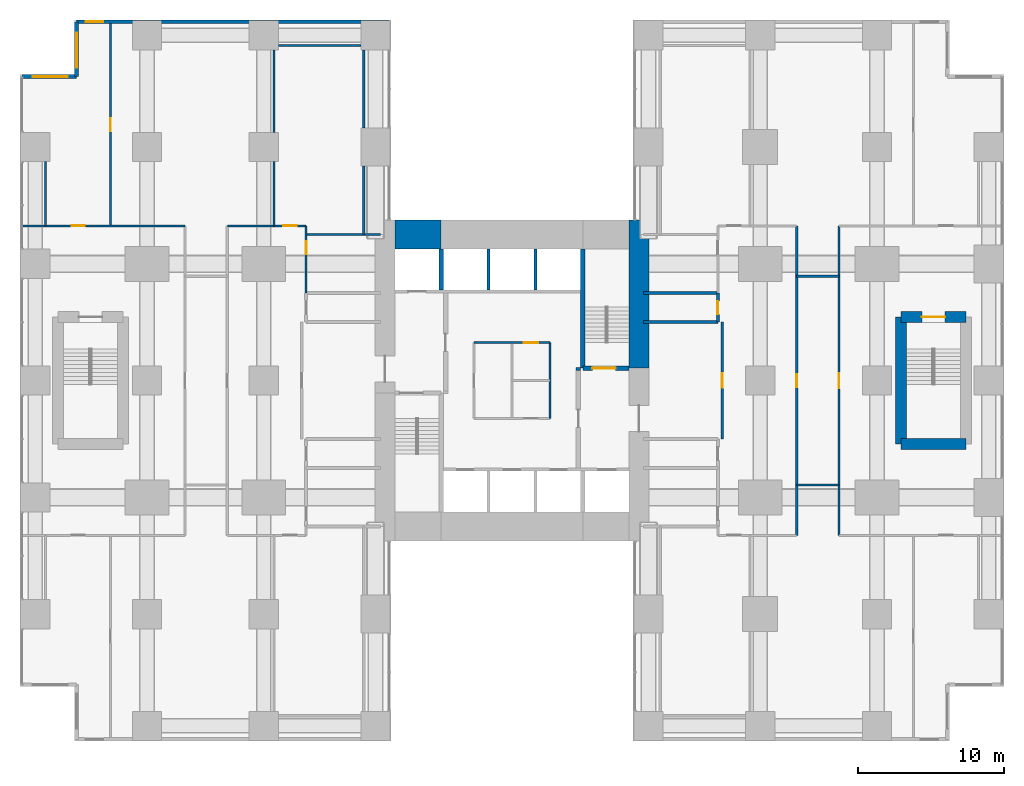
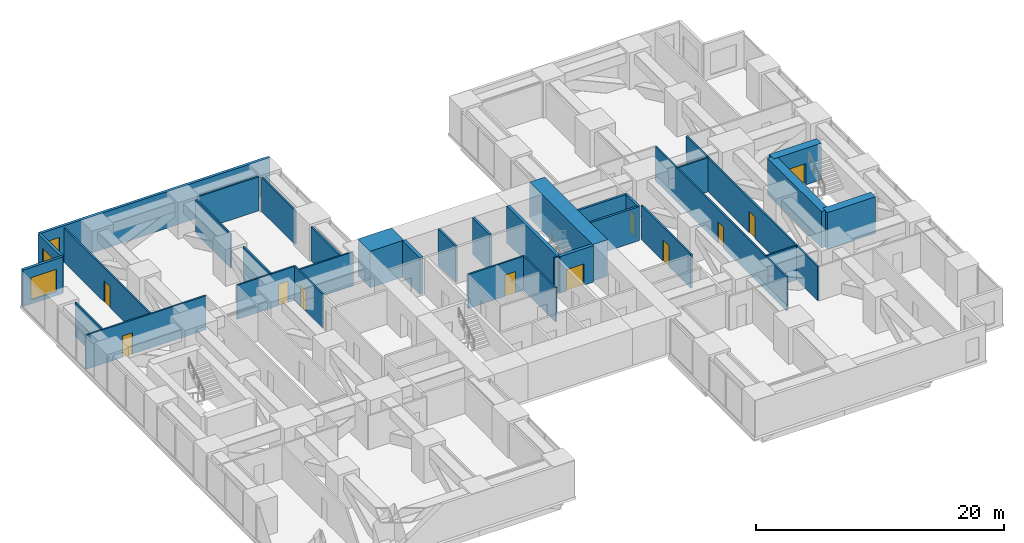
# One storey, part 12 of 15: 35 walls, 11 doors, 3 windows, 14 openings.
"""IFC4 building model written with IfcOpenShell, lengths in metres."""

from ifc_helpers import new_model, si_unit, direction, frame, frame_2d, origin, place, context, subcontext, project, spatial, rectangle, extrude, material, layer, layer_set, type_object, element, fill, save


model = new_model("IFC4")

# Units and contexts
model_context = context("Model", 3, precision=1e-05, world=origin(), true_north=direction((0.0, 1.0)))
body_context = subcontext(model_context, "Body", "Model", "MODEL_VIEW")
ifc_project = project(units=[si_unit("LENGTHUNIT", "METRE"), si_unit("AREAUNIT", "SQUARE_METRE"), si_unit("VOLUMEUNIT", "CUBIC_METRE"), si_unit("PLANEANGLEUNIT", "RADIAN"), si_unit("MASSUNIT", "GRAM", prefix="KILO")], contexts=[model_context])

# Site, building, storey
site_placement = place(None, origin())
site = spatial("IfcSite", under=ifc_project, at=site_placement, CompositionType="ELEMENT")
building_placement = place(site_placement, origin())
building = spatial("IfcBuilding", under=site, at=building_placement, Name="Cleftline Residences", CompositionType="ELEMENT")
storey_placement = place(building_placement, frame((0.0, 0.0, 132.199951171875)))
storey = spatial("IfcBuildingStorey", under=building, at=storey_placement, Name="L34", CompositionType="ELEMENT", Elevation=132.199951171875)

# Walls
ifc_material_1 = material(Name="Concrete B70", Category="concrete")
ifc_layer_1 = layer(ifc_material_1, 1.39990234375)
ifc_layer_set_1 = layer_set([ifc_layer_1], Name="CORE WALL 1400")
wall_type_1 = type_object("IfcWallType", Name="CORE WALL 1400", PredefinedType="SHEAR", material=ifc_layer_set_1)
wall_1_placement = place(storey_placement, frame((41.699951171875, 24.85009765625, 0.0), z_axis=(0.0, 0.0, 1.0), x_axis=(0.0, 1.0, 0.0)))
element("IfcWall", 1, at=wall_1_placement, inside=storey, type_object=wall_type_1, Name="Core wall E1", PredefinedType="SHEAR", context=body_context, shape_type="SweptSolid", body=[
    extrude(rectangle(XDim=10.14990234375, YDim=1.39990234375, at=frame_2d((5.074951171875, 0.0))), origin(), (0.0, 0.0, 1.0), 3.60009765625),
])
ifc_material_2 = material(Name="Concrete B70", Category="concrete")
ifc_layer_2 = layer(ifc_material_2, 2.0)
ifc_layer_set_2 = layer_set([ifc_layer_2], Name="CORE WALL 2000")
wall_type_2 = type_object("IfcWallType", Name="CORE WALL 2000", PredefinedType="SHEAR", material=ifc_layer_set_2)
wall_2_placement = place(storey_placement, frame((25.0, 34.0, 0.0), z_axis=(0.0, 0.0, 1.0), x_axis=(1.0, 0.0, 0.0)))
element("IfcWall", 2, at=wall_2_placement, inside=storey, type_object=wall_type_2, Name="Core wall N1", PredefinedType="SHEAR", context=body_context, shape_type="SweptSolid", body=[
    extrude(rectangle(XDim=3.14990234375, YDim=2.0, at=frame_2d((1.574951171875, 0.0))), origin(), (0.0, 0.0, 1.0), 3.60009765625),
])
ifc_material_3 = material(Name="Concrete B70", Category="concrete")
ifc_layer_3 = layer(ifc_material_3, 0.300048828125)
ifc_layer_set_3 = layer_set([ifc_layer_3], Name="CORE WALL 300")
wall_type_3 = type_object("IfcWallType", Name="CORE WALL 300", PredefinedType="SHEAR", material=ifc_layer_set_3)
wall_3_placement = place(storey_placement, frame((37.85009765625, 24.85009765625, 0.0), z_axis=(0.0, 0.0, 1.0), x_axis=(0.0, 1.0, 0.0)))
element("IfcWall", 3, at=wall_3_placement, inside=storey, type_object=wall_type_3, Name="Core wall SB-W", PredefinedType="SHEAR", context=body_context, shape_type="SweptSolid", body=[
    extrude(rectangle(XDim=8.14990234375, YDim=0.300048828125, at=frame_2d((4.074951171875, 0.0))), origin(), (0.0, 0.0, 1.0), 3.60009765625),
])

# Wall, opening, door
wall_4_placement = place(storey_placement, frame((37.85009765625, 24.85009765625, 0.0), z_axis=(0.0, 0.0, 1.0), x_axis=(1.0, 0.0, 0.0)))
wall_4 = element("IfcWall", 4, at=wall_4_placement, inside=storey, type_object=wall_type_3, Name="Core wall SB-S", PredefinedType="SHEAR", context=body_context, shape_type="SweptSolid", body=[
    extrude(rectangle(XDim=3.14990234375, YDim=0.300048828125, at=frame_2d((1.574951171875, 0.0))), origin(), (0.0, 0.0, 1.0), 3.60009765625),
])
opening_1_placement = place(wall_4_placement, frame((0.64990234375, 0.0, 0.0)))
opening_1 = element("IfcOpeningElement", 5, at=opening_1_placement, cuts=wall_4, Name="Opening D9", PredefinedType="OPENING", context=body_context, shape_type="SweptSolid", body=[
    extrude(rectangle(XDim=1.60009765625, YDim=2.10009765625, at=frame_2d((0.800048828125, 1.050048828125))), frame((0.0, 0.159912109375, 0.0), z_axis=(0.0, -1.0, 0.0), x_axis=(1.0, 0.0, 0.0)), (0.0, 0.0, 1.0), 0.320068359375),
])
ifc_material_4 = material(Name="Steel", Category="steel")
door_type_1 = type_object("IfcDoorType", Name="STAIR DOOR 1600X2100", OperationType="DOUBLE_DOOR_SINGLE_SWING", PredefinedType="DOOR", material=ifc_material_4)
door_1_placement = place(opening_1_placement, origin())
door_1 = element("IfcDoor", 6, at=door_1_placement, inside=storey, type_object=door_type_1, Name="Stair B door", OperationType="DOUBLE_DOOR_SINGLE_SWING", OverallHeight=2.10009765625, OverallWidth=1.60009765625, PredefinedType="DOOR", context=body_context, shape_type="SweptSolid", body=[
    extrude(rectangle(XDim=1.60009765625, YDim=2.10009765625, at=frame_2d((0.800048828125, 1.050048828125))), frame((0.0, 0.02490234375, 0.0), z_axis=(0.0, -1.0, 0.0), x_axis=(1.0, 0.0, 0.0)), (0.0, 0.0, 1.0), 0.050048828125),
])
fill(opening_1, door_1)

# Wall
wall_5_placement = place(storey_placement, frame((28.14990234375, 30.199951171875, 0.0), z_axis=(0.0, 0.0, 1.0), x_axis=(0.0, 1.0, 0.0)))
element("IfcWall", 7, at=wall_5_placement, inside=storey, type_object=wall_type_3, Name="Lift shaft wall", PredefinedType="SHEAR", context=body_context, shape_type="SweptSolid", body=[
    extrude(rectangle(XDim=2.800048828125, YDim=0.300048828125, at=frame_2d((1.39990234375, 0.0))), origin(), (0.0, 0.0, 1.0), 3.60009765625),
])

# Wall, opening, window
ifc_material_5 = material(Name="Rendered reinforced concrete blockwork", Category="masonry")
ifc_layer_4 = layer(ifc_material_5, 0.25)
ifc_layer_set_4 = layer_set([ifc_layer_4], Name="EXTERNAL WALL 250")
wall_type_4 = type_object("IfcWallType", Name="EXTERNAL WALL 250", PredefinedType="SOLIDWALL", material=ifc_layer_set_4)
wall_6_placement = place(storey_placement, frame((24.574951171875, 48.574951171875, 0.0), z_axis=(0.0, 0.0, 1.0), x_axis=(-1.0, 0.0, 0.0)))
wall_6 = element("IfcWall", 8, at=wall_6_placement, inside=storey, type_object=wall_type_4, Name="External wall", PredefinedType="SOLIDWALL", context=body_context, shape_type="SweptSolid", body=[
    extrude(rectangle(XDim=21.39990234375, YDim=0.25, at=frame_2d((10.699951171875, 0.0))), origin(), (0.0, 0.0, 1.0), 3.60009765625),
])
opening_2_placement = place(wall_6_placement, frame((19.574951171875, 0.0, 0.39990234375)))
opening_2 = element("IfcOpeningElement", 9, at=opening_2_placement, cuts=wall_6, Name="Opening W11", PredefinedType="OPENING", context=body_context, shape_type="SweptSolid", body=[
    extrude(rectangle(XDim=1.199951171875, YDim=2.199951171875, at=frame_2d((0.60009765625, 1.10009765625))), frame((0.0, 0.135009765625, 0.0), z_axis=(0.0, -1.0, 0.0), x_axis=(1.0, 0.0, 0.0)), (0.0, 0.0, 1.0), 0.27001953125),
])
ifc_material_6 = material(Name="Aluminium frame, clear double glazing", Category="aluminium")
window_type_1 = type_object("IfcWindowType", Name="WINDOW 1200X2200", PartitioningType="DOUBLE_PANEL_VERTICAL", PredefinedType="WINDOW", material=ifc_material_6)
window_1_placement = place(opening_2_placement, origin())
window_1 = element("IfcWindow", 10, at=window_1_placement, inside=storey, type_object=window_type_1, Name="Window", OverallHeight=2.199951171875, OverallWidth=1.199951171875, PartitioningType="SINGLE_PANEL", PredefinedType="WINDOW", context=body_context, shape_type="SweptSolid", body=[
    extrude(rectangle(XDim=1.199951171875, YDim=2.199951171875, at=frame_2d((0.60009765625, 1.10009765625))), frame((0.0, 0.030029296875, 0.0), z_axis=(0.0, -1.0, 0.0), x_axis=(1.0, 0.0, 0.0)), (0.0, 0.0, 1.0), 0.06005859375),
])
fill(opening_2, window_1)

wall_7_placement = place(storey_placement, frame((3.175048828125, 48.574951171875, 0.0), z_axis=(0.0, 0.0, 1.0), x_axis=(0.0, -1.0, 0.0)))
wall_7 = element("IfcWall", 11, at=wall_7_placement, inside=storey, type_object=wall_type_4, Name="External wall", PredefinedType="SOLIDWALL", context=body_context, shape_type="SweptSolid", body=[
    extrude(rectangle(XDim=3.75, YDim=0.25, at=frame_2d((1.875, 0.0))), origin(), (0.0, 0.0, 1.0), 3.60009765625),
])
opening_3_placement = place(wall_7_placement, frame((0.737548828125, 0.0, 0.39990234375)))
opening_3 = element("IfcOpeningElement", 12, at=opening_3_placement, cuts=wall_7, Name="Opening W12", PredefinedType="OPENING", context=body_context, shape_type="SweptSolid", body=[
    extrude(rectangle(XDim=2.39990234375, YDim=2.199951171875, at=frame_2d((1.199951171875, 1.10009765625))), frame((0.0, 0.135009765625, 0.0), z_axis=(0.0, -1.0, 0.0), x_axis=(1.0, 0.0, 0.0)), (0.0, 0.0, 1.0), 0.27001953125),
])
ifc_material_7 = material(Name="Aluminium frame, clear double glazing", Category="aluminium")
window_type_2 = type_object("IfcWindowType", Name="WINDOW 2400X2200", PartitioningType="DOUBLE_PANEL_VERTICAL", PredefinedType="WINDOW", material=ifc_material_7)
window_2_placement = place(opening_3_placement, origin())
window_2 = element("IfcWindow", 13, at=window_2_placement, inside=storey, type_object=window_type_2, Name="Window", OverallHeight=2.199951171875, OverallWidth=2.39990234375, PartitioningType="SINGLE_PANEL", PredefinedType="WINDOW", context=body_context, shape_type="SweptSolid", body=[
    extrude(rectangle(XDim=2.39990234375, YDim=2.199951171875, at=frame_2d((1.199951171875, 1.10009765625))), frame((0.0, 0.030029296875, 0.0), z_axis=(0.0, -1.0, 0.0), x_axis=(1.0, 0.0, 0.0)), (0.0, 0.0, 1.0), 0.06005859375),
])
fill(opening_3, window_2)

wall_8_placement = place(storey_placement, frame((3.175048828125, 44.824951171875, 0.0), z_axis=(0.0, 0.0, 1.0), x_axis=(-1.0, 0.0, 0.0)))
wall_8 = element("IfcWall", 14, at=wall_8_placement, inside=storey, type_object=wall_type_4, Name="External wall", PredefinedType="SOLIDWALL", context=body_context, shape_type="SweptSolid", body=[
    extrude(rectangle(XDim=3.75, YDim=0.25, at=frame_2d((1.875, 0.0))), origin(), (0.0, 0.0, 1.0), 3.60009765625),
])
opening_4_placement = place(wall_8_placement, frame((0.612548828125, 0.0, 0.39990234375)))
opening_4 = element("IfcOpeningElement", 15, at=opening_4_placement, cuts=wall_8, Name="Opening W12", PredefinedType="OPENING", context=body_context, shape_type="SweptSolid", body=[
    extrude(rectangle(XDim=2.39990234375, YDim=2.199951171875, at=frame_2d((1.199951171875, 1.10009765625))), frame((0.0, 0.135009765625, 0.0), z_axis=(0.0, -1.0, 0.0), x_axis=(1.0, 0.0, 0.0)), (0.0, 0.0, 1.0), 0.27001953125),
])
window_3_placement = place(opening_4_placement, origin())
window_3 = element("IfcWindow", 16, at=window_3_placement, inside=storey, type_object=window_type_2, Name="Window", OverallHeight=2.199951171875, OverallWidth=2.39990234375, PartitioningType="SINGLE_PANEL", PredefinedType="WINDOW", context=body_context, shape_type="SweptSolid", body=[
    extrude(rectangle(XDim=2.39990234375, YDim=2.199951171875, at=frame_2d((1.199951171875, 1.10009765625))), frame((0.0, 0.030029296875, 0.0), z_axis=(0.0, -1.0, 0.0), x_axis=(1.0, 0.0, 0.0)), (0.0, 0.0, 1.0), 0.06005859375),
])
fill(opening_4, window_3)

# Walls
ifc_material_8 = material(Name="Concrete blockwork, fire rated", Category="masonry")
ifc_layer_5 = layer(ifc_material_8, 0.199951171875)
ifc_layer_set_5 = layer_set([ifc_layer_5], Name="FIRE WALL 200")
wall_type_5 = type_object("IfcWallType", Name="FIRE WALL 200", PredefinedType="PARTITIONING", material=ifc_layer_set_5)
for number, where, z_axis, x_axis, name in (
    (17, (42.0, 28.0, 0.0), (0.0, 0.0, 1.0), (1.0, 0.0, 0.0), "Fire separating wall"),
    (18, (42.0, 30.0, 0.0), (0.0, 0.0, 1.0), (1.0, 0.0, 0.0), "Fire separating wall"),
):
    element("IfcWall", number, at=place(storey_placement, frame(where, z_axis=z_axis, x_axis=x_axis)), inside=storey, type_object=wall_type_5, Name=name, PredefinedType="PARTITIONING", context=body_context, shape_type="SweptSolid", body=[
        extrude(rectangle(XDim=5.10009765625, YDim=0.199951171875, at=frame_2d((2.550048828125, 0.0))), origin(), (0.0, 0.0, 1.0), 3.35009765625),
    ])

# Wall, opening, door
wall_9_placement = place(storey_placement, frame((47.10009765625, 28.0, 0.0), z_axis=(0.0, 0.0, 1.0), x_axis=(0.0, 1.0, 0.0)))
wall_9 = element("IfcWall", 19, at=wall_9_placement, inside=storey, type_object=wall_type_5, Name="Fire separating wall", PredefinedType="PARTITIONING", context=body_context, shape_type="SweptSolid", body=[
    extrude(rectangle(XDim=2.0, YDim=0.199951171875, at=frame_2d((1.0, 0.0))), origin(), (0.0, 0.0, 1.0), 3.35009765625),
])
opening_5_placement = place(wall_9_placement, frame((0.5400390625, 0.0, 0.0)))
opening_5 = element("IfcOpeningElement", 20, at=opening_5_placement, cuts=wall_9, Name="Opening D1F30", PredefinedType="OPENING", context=body_context, shape_type="SweptSolid", body=[
    extrude(rectangle(XDim=0.89990234375, YDim=2.10009765625, at=frame_2d((0.449951171875, 1.050048828125))), frame((0.0, 0.10986328125, 0.0), z_axis=(0.0, -1.0, 0.0), x_axis=(1.0, 0.0, 0.0)), (0.0, 0.0, 1.0), 0.219970703125),
])
ifc_material_9 = material(Name="Timber veneer on solid core", Category="wood")
door_type_2 = type_object("IfcDoorType", Name="DOOR 900X2100 EI 30", OperationType="SINGLE_SWING_LEFT", PredefinedType="DOOR", material=ifc_material_9)
door_2_placement = place(opening_5_placement, origin())
door_2 = element("IfcDoor", 21, at=door_2_placement, inside=storey, type_object=door_type_2, Name="Door to accessible wc", OperationType="SINGLE_SWING_RIGHT", OverallHeight=2.10009765625, OverallWidth=0.89990234375, PredefinedType="DOOR", context=body_context, shape_type="SweptSolid", body=[
    extrude(rectangle(XDim=0.89990234375, YDim=2.10009765625, at=frame_2d((0.449951171875, 1.050048828125))), frame((0.0, 0.02490234375, 0.0), z_axis=(0.0, -1.0, 0.0), x_axis=(1.0, 0.0, 0.0)), (0.0, 0.0, 1.0), 0.050048828125),
])
fill(opening_5, door_2)

# Walls
wall_10_placement = place(storey_placement, frame((37.39990234375, 24.800048828125, 0.0), z_axis=(0.0, 0.0, 1.0), x_axis=(1.0, 0.0, 0.0)))
element("IfcWall", 22, at=wall_10_placement, inside=storey, type_object=wall_type_5, Name="Fire separating wall", PredefinedType="PARTITIONING", context=body_context, shape_type="SweptSolid", body=[
    extrude(rectangle(XDim=0.300048828125, YDim=0.199951171875, at=frame_2d((0.14990234375, 0.0))), origin(), (0.0, 0.0, 1.0), 3.60009765625),
])
ifc_material_10 = material(Name="Gypsum board on steel studs", Category="steel")
ifc_layer_6 = layer(ifc_material_10, 0.14990234375)
ifc_layer_set_6 = layer_set([ifc_layer_6], Name="PARTITION 150")
wall_type_6 = type_object("IfcWallType", Name="PARTITION 150", PredefinedType="PARTITIONING", material=ifc_layer_set_6)
for number, where, z_axis, x_axis, name in (
    (23, (52.5, 16.85009765625, 0.0), (0.0, 0.0, 1.0), (1.0, 0.0, 0.0), "Partition"),
    (24, (52.5, 31.14990234375, 0.0), (0.0, 0.0, 1.0), (1.0, 0.0, 0.0), "Partition"),
):
    element("IfcWall", number, at=place(storey_placement, frame(where, z_axis=z_axis, x_axis=x_axis)), inside=storey, type_object=wall_type_6, Name=name, PredefinedType="PARTITIONING", context=body_context, shape_type="SweptSolid", body=[
        extrude(rectangle(XDim=2.89990234375, YDim=0.14990234375, at=frame_2d((1.449951171875, 0.0))), origin(), (0.0, 0.0, 1.0), 3.35009765625),
    ])
wall_11_placement = place(storey_placement, frame((18.89990234375, 34.0, 0.0), z_axis=(0.0, 0.0, 1.0), x_axis=(1.0, 0.0, 0.0)))
element("IfcWall", 25, at=wall_11_placement, inside=storey, type_object=wall_type_6, Name="Partition", PredefinedType="PARTITIONING", context=body_context, shape_type="SweptSolid", body=[
    extrude(rectangle(XDim=5.10009765625, YDim=0.14990234375, at=frame_2d((2.550048828125, 0.0))), origin(), (0.0, 0.0, 1.0), 3.35009765625),
])

# Wall, opening, door
wall_12_placement = place(storey_placement, frame((-0.56103515625, 34.60009765625, 0.0), z_axis=(0.0, 0.0, 1.0), x_axis=(1.0, 0.0, 0.0)))
wall_12 = element("IfcWall", 26, at=wall_12_placement, inside=storey, type_object=wall_type_6, Name="Partition", PredefinedType="PARTITIONING", context=body_context, shape_type="SweptSolid", body=[
    extrude(rectangle(XDim=11.1611328125, YDim=0.14990234375, at=frame_2d((5.58056640625, 0.0))), origin(), (0.0, 0.0, 1.0), 3.35009765625),
])
opening_6_placement = place(wall_12_placement, frame((3.39111328125, 0.0, 0.0)))
opening_6 = element("IfcOpeningElement", 27, at=opening_6_placement, cuts=wall_12, Name="Opening D1", PredefinedType="OPENING", context=body_context, shape_type="SweptSolid", body=[
    extrude(rectangle(XDim=0.89990234375, YDim=2.10009765625, at=frame_2d((0.449951171875, 1.050048828125))), frame((0.0, 0.0849609375, 0.0), z_axis=(0.0, -1.0, 0.0), x_axis=(1.0, 0.0, 0.0)), (0.0, 0.0, 1.0), 0.169921875),
])
ifc_material_11 = material(Name="Timber veneer on solid core", Category="wood")
door_type_3 = type_object("IfcDoorType", Name="DOOR 900X2100", OperationType="SINGLE_SWING_LEFT", PredefinedType="DOOR", material=ifc_material_11)
door_3_placement = place(opening_6_placement, origin())
door_3 = element("IfcDoor", 28, at=door_3_placement, inside=storey, type_object=door_type_3, Name="Door to card room", OperationType="SINGLE_SWING_RIGHT", OverallHeight=2.10009765625, OverallWidth=0.89990234375, PredefinedType="DOOR", context=body_context, shape_type="SweptSolid", body=[
    extrude(rectangle(XDim=0.89990234375, YDim=2.10009765625, at=frame_2d((0.449951171875, 1.050048828125))), frame((0.0, 0.02490234375, 0.0), z_axis=(0.0, -1.0, 0.0), x_axis=(1.0, 0.0, 0.0)), (0.0, 0.0, 1.0), 0.050048828125),
])
fill(opening_6, door_3)

wall_13_placement = place(storey_placement, frame((13.5, 34.60009765625, 0.0), z_axis=(0.0, 0.0, 1.0), x_axis=(1.0, 0.0, 0.0)))
wall_13 = element("IfcWall", 29, at=wall_13_placement, inside=storey, type_object=wall_type_6, Name="Partition", PredefinedType="PARTITIONING", context=body_context, shape_type="SweptSolid", body=[
    extrude(rectangle(XDim=5.39990234375, YDim=0.14990234375, at=frame_2d((2.699951171875, 0.0))), origin(), (0.0, 0.0, 1.0), 3.35009765625),
])
opening_7_placement = place(wall_13_placement, frame((3.840087890625, 0.0, 0.0)))
opening_7 = element("IfcOpeningElement", 30, at=opening_7_placement, cuts=wall_13, Name="Opening D1", PredefinedType="OPENING", context=body_context, shape_type="SweptSolid", body=[
    extrude(rectangle(XDim=0.89990234375, YDim=2.10009765625, at=frame_2d((0.449951171875, 1.050048828125))), frame((0.0, 0.0849609375, 0.0), z_axis=(0.0, -1.0, 0.0), x_axis=(1.0, 0.0, 0.0)), (0.0, 0.0, 1.0), 0.169921875),
])
door_4_placement = place(opening_7_placement, origin())
door_4 = element("IfcDoor", 31, at=door_4_placement, inside=storey, type_object=door_type_3, Name="Door to music room", OperationType="SINGLE_SWING_LEFT", OverallHeight=2.10009765625, OverallWidth=0.89990234375, PredefinedType="DOOR", context=body_context, shape_type="SweptSolid", body=[
    extrude(rectangle(XDim=0.89990234375, YDim=2.10009765625, at=frame_2d((0.449951171875, 1.050048828125))), frame((0.0, 0.02490234375, 0.0), z_axis=(0.0, -1.0, 0.0), x_axis=(1.0, 0.0, 0.0)), (0.0, 0.0, 1.0), 0.050048828125),
])
fill(opening_7, door_4)

# Walls
wall_14_placement = place(storey_placement, frame((17.0, 46.949951171875, 0.0), z_axis=(0.0, 0.0, 1.0), x_axis=(1.0, 0.0, 0.0)))
element("IfcWall", 32, at=wall_14_placement, inside=storey, type_object=wall_type_6, Name="Partition", PredefinedType="PARTITIONING", context=body_context, shape_type="SweptSolid", body=[
    extrude(rectangle(XDim=5.64990234375, YDim=0.14990234375, at=frame_2d((2.824951171875, 0.0))), origin(), (0.0, 0.0, 1.0), 3.35009765625),
])
wall_15_placement = place(storey_placement, frame((1.050048828125, 34.60009765625, 0.0), z_axis=(0.0, 0.0, 1.0), x_axis=(0.0, 1.0, 0.0)))
element("IfcWall", 33, at=wall_15_placement, inside=storey, type_object=wall_type_6, Name="Partition", PredefinedType="PARTITIONING", context=body_context, shape_type="SweptSolid", body=[
    extrude(rectangle(XDim=4.39990234375, YDim=0.14990234375, at=frame_2d((2.199951171875, 0.0))), origin(), (0.0, 0.0, 1.0), 3.35009765625),
])

# Wall, opening, door
wall_16_placement = place(storey_placement, frame((5.5, 34.60009765625, 0.0), z_axis=(0.0, 0.0, 1.0), x_axis=(0.0, 1.0, 0.0)))
wall_16 = element("IfcWall", 34, at=wall_16_placement, inside=storey, type_object=wall_type_6, Name="Partition", PredefinedType="PARTITIONING", context=body_context, shape_type="SweptSolid", body=[
    extrude(rectangle(XDim=13.849853515625, YDim=0.14990234375, at=frame_2d((6.9248046875, 0.0))), origin(), (0.0, 0.0, 1.0), 3.35009765625),
])
opening_8_placement = place(wall_16_placement, frame((6.47998046875, 0.0, 0.0)))
opening_8 = element("IfcOpeningElement", 35, at=opening_8_placement, cuts=wall_16, Name="Opening D1", PredefinedType="OPENING", context=body_context, shape_type="SweptSolid", body=[
    extrude(rectangle(XDim=0.89990234375, YDim=2.10009765625, at=frame_2d((0.449951171875, 1.050048828125))), frame((0.0, 0.0849609375, 0.0), z_axis=(0.0, -1.0, 0.0), x_axis=(1.0, 0.0, 0.0)), (0.0, 0.0, 1.0), 0.169921875),
])
door_5_placement = place(opening_8_placement, origin())
door_5 = element("IfcDoor", 36, at=door_5_placement, inside=storey, type_object=door_type_3, Name="Door to games locker room", OperationType="SINGLE_SWING_LEFT", OverallHeight=2.10009765625, OverallWidth=0.89990234375, PredefinedType="DOOR", context=body_context, shape_type="SweptSolid", body=[
    extrude(rectangle(XDim=0.89990234375, YDim=2.10009765625, at=frame_2d((0.449951171875, 1.050048828125))), frame((0.0, 0.02490234375, 0.0), z_axis=(0.0, -1.0, 0.0), x_axis=(1.0, 0.0, 0.0)), (0.0, 0.0, 1.0), 0.050048828125),
])
fill(opening_8, door_5)

# Walls
wall_17_placement = place(storey_placement, frame((16.699951171875, 34.60009765625, 0.0), z_axis=(0.0, 0.0, 1.0), x_axis=(0.0, 1.0, 0.0)))
element("IfcWall", 37, at=wall_17_placement, inside=storey, type_object=wall_type_6, Name="Partition", PredefinedType="PARTITIONING", context=body_context, shape_type="SweptSolid", body=[
    extrude(rectangle(XDim=4.39990234375, YDim=0.14990234375, at=frame_2d((2.199951171875, 0.0))), origin(), (0.0, 0.0, 1.0), 3.35009765625),
])
wall_18_placement = place(storey_placement, frame((16.699951171875, 41.0, 0.0), z_axis=(0.0, 0.0, 1.0), x_axis=(0.0, 1.0, 0.0)))
element("IfcWall", 38, at=wall_18_placement, inside=storey, type_object=wall_type_6, Name="Partition", PredefinedType="PARTITIONING", context=body_context, shape_type="SweptSolid", body=[
    extrude(rectangle(XDim=5.64990234375, YDim=0.14990234375, at=frame_2d((2.824951171875, 0.0))), origin(), (0.0, 0.0, 1.0), 3.35009765625),
])

# Wall, opening, door
wall_19_placement = place(storey_placement, frame((18.89990234375, 30.0, 0.0), z_axis=(0.0, 0.0, 1.0), x_axis=(0.0, 1.0, 0.0)))
wall_19 = element("IfcWall", 39, at=wall_19_placement, inside=storey, type_object=wall_type_6, Name="Partition", PredefinedType="PARTITIONING", context=body_context, shape_type="SweptSolid", body=[
    extrude(rectangle(XDim=4.60009765625, YDim=0.14990234375, at=frame_2d((2.300048828125, 0.0))), origin(), (0.0, 0.0, 1.0), 3.35009765625),
])
opening_9_placement = place(wall_19_placement, frame((2.639892578125, 0.0, 0.0)))
opening_9 = element("IfcOpeningElement", 40, at=opening_9_placement, cuts=wall_19, Name="Opening D1", PredefinedType="OPENING", context=body_context, shape_type="SweptSolid", body=[
    extrude(rectangle(XDim=0.89990234375, YDim=2.10009765625, at=frame_2d((0.449951171875, 1.050048828125))), frame((0.0, 0.0849609375, 0.0), z_axis=(0.0, -1.0, 0.0), x_axis=(1.0, 0.0, 0.0)), (0.0, 0.0, 1.0), 0.169921875),
])
door_6_placement = place(opening_9_placement, origin())
door_6 = element("IfcDoor", 41, at=door_6_placement, inside=storey, type_object=door_type_3, Name="Door to cleaner's store", OperationType="SINGLE_SWING_LEFT", OverallHeight=2.10009765625, OverallWidth=0.89990234375, PredefinedType="DOOR", context=body_context, shape_type="SweptSolid", body=[
    extrude(rectangle(XDim=0.89990234375, YDim=2.10009765625, at=frame_2d((0.449951171875, 1.050048828125))), frame((0.0, 0.02490234375, 0.0), z_axis=(0.0, -1.0, 0.0), x_axis=(1.0, 0.0, 0.0)), (0.0, 0.0, 1.0), 0.050048828125),
])
fill(opening_9, door_6)

# Walls
wall_20_placement = place(storey_placement, frame((22.85009765625, 34.0, 0.0), z_axis=(0.0, 0.0, 1.0), x_axis=(0.0, 1.0, 0.0)))
element("IfcWall", 42, at=wall_20_placement, inside=storey, type_object=wall_type_6, Name="Partition", PredefinedType="PARTITIONING", context=body_context, shape_type="SweptSolid", body=[
    extrude(rectangle(XDim=4.699951171875, YDim=0.14990234375, at=frame_2d((2.35009765625, 0.0))), origin(), (0.0, 0.0, 1.0), 3.35009765625),
])
wall_21_placement = place(storey_placement, frame((22.85009765625, 41.300048828125, 0.0), z_axis=(0.0, 0.0, 1.0), x_axis=(0.0, 1.0, 0.0)))
element("IfcWall", 43, at=wall_21_placement, inside=storey, type_object=wall_type_6, Name="Partition", PredefinedType="PARTITIONING", context=body_context, shape_type="SweptSolid", body=[
    extrude(rectangle(XDim=5.349853515625, YDim=0.14990234375, at=frame_2d((2.6748046875, 0.0))), origin(), (0.0, 0.0, 1.0), 3.35009765625),
])

# Wall, opening, door
wall_22_placement = place(storey_placement, frame((47.39990234375, 20.0, 0.0), z_axis=(0.0, 0.0, 1.0), x_axis=(0.0, 1.0, 0.0)))
wall_22 = element("IfcWall", 44, at=wall_22_placement, inside=storey, type_object=wall_type_6, Name="Partition", PredefinedType="PARTITIONING", context=body_context, shape_type="SweptSolid", body=[
    extrude(rectangle(XDim=8.0, YDim=0.14990234375, at=frame_2d((4.0, 0.0))), origin(), (0.0, 0.0, 1.0), 3.35009765625),
])
opening_10_placement = place(wall_22_placement, frame((3.5, 0.0, 0.0)))
opening_10 = element("IfcOpeningElement", 45, at=opening_10_placement, cuts=wall_22, Name="Opening D2F30", PredefinedType="OPENING", context=body_context, shape_type="SweptSolid", body=[
    extrude(rectangle(XDim=1.0, YDim=2.10009765625, at=frame_2d((0.5, 1.050048828125))), frame((0.0, 0.0849609375, 0.0), z_axis=(0.0, -1.0, 0.0), x_axis=(1.0, 0.0, 0.0)), (0.0, 0.0, 1.0), 0.169921875),
])
ifc_material_12 = material(Name="Timber veneer on solid core", Category="wood")
door_type_4 = type_object("IfcDoorType", Name="DOOR 1000X2100 EI 30", OperationType="SINGLE_SWING_LEFT", PredefinedType="DOOR", material=ifc_material_12)
door_7_placement = place(opening_10_placement, origin())
door_7 = element("IfcDoor", 46, at=door_7_placement, inside=storey, type_object=door_type_4, Name="Door to corridor", OperationType="SINGLE_SWING_LEFT", OverallHeight=2.10009765625, OverallWidth=1.0, PredefinedType="DOOR", context=body_context, shape_type="SweptSolid", body=[
    extrude(rectangle(XDim=1.0, YDim=2.10009765625, at=frame_2d((0.5, 1.050048828125))), frame((0.0, 0.02490234375, 0.0), z_axis=(0.0, -1.0, 0.0), x_axis=(1.0, 0.0, 0.0)), (0.0, 0.0, 1.0), 0.050048828125),
])
fill(opening_10, door_7)

wall_23_placement = place(storey_placement, frame((52.5, 13.39990234375, 0.0), z_axis=(0.0, 0.0, 1.0), x_axis=(0.0, 1.0, 0.0)))
wall_23 = element("IfcWall", 47, at=wall_23_placement, inside=storey, type_object=wall_type_6, Name="Partition", PredefinedType="PARTITIONING", context=body_context, shape_type="SweptSolid", body=[
    extrude(rectangle(XDim=21.2001953125, YDim=0.14990234375, at=frame_2d((10.60009765625, 0.0))), origin(), (0.0, 0.0, 1.0), 3.35009765625),
])
opening_11_placement = place(wall_23_placement, frame((10.14990234375, 0.0, 0.0)))
opening_11 = element("IfcOpeningElement", 48, at=opening_11_placement, cuts=wall_23, Name="Opening D1", PredefinedType="OPENING", context=body_context, shape_type="SweptSolid", body=[
    extrude(rectangle(XDim=0.89990234375, YDim=2.10009765625, at=frame_2d((0.449951171875, 1.050048828125))), frame((0.0, 0.0849609375, 0.0), z_axis=(0.0, -1.0, 0.0), x_axis=(1.0, 0.0, 0.0)), (0.0, 0.0, 1.0), 0.169921875),
])
door_8_placement = place(opening_11_placement, origin())
door_8 = element("IfcDoor", 49, at=door_8_placement, inside=storey, type_object=door_type_3, Name="Door to sky club lounge", OperationType="SINGLE_SWING_LEFT", OverallHeight=2.10009765625, OverallWidth=0.89990234375, PredefinedType="DOOR", context=body_context, shape_type="SweptSolid", body=[
    extrude(rectangle(XDim=0.89990234375, YDim=2.10009765625, at=frame_2d((0.449951171875, 1.050048828125))), frame((0.0, 0.02490234375, 0.0), z_axis=(0.0, -1.0, 0.0), x_axis=(1.0, 0.0, 0.0)), (0.0, 0.0, 1.0), 0.050048828125),
])
fill(opening_11, door_8)

wall_24_placement = place(storey_placement, frame((55.39990234375, 13.39990234375, 0.0), z_axis=(0.0, 0.0, 1.0), x_axis=(0.0, 1.0, 0.0)))
wall_24 = element("IfcWall", 50, at=wall_24_placement, inside=storey, type_object=wall_type_6, Name="Partition", PredefinedType="PARTITIONING", context=body_context, shape_type="SweptSolid", body=[
    extrude(rectangle(XDim=21.2001953125, YDim=0.14990234375, at=frame_2d((10.60009765625, 0.0))), origin(), (0.0, 0.0, 1.0), 3.35009765625),
])
opening_12_placement = place(wall_24_placement, frame((10.090087890625, 0.0, 0.0)))
opening_12 = element("IfcOpeningElement", 51, at=opening_12_placement, cuts=wall_24, Name="Opening D2F30", PredefinedType="OPENING", context=body_context, shape_type="SweptSolid", body=[
    extrude(rectangle(XDim=1.0, YDim=2.10009765625, at=frame_2d((0.5, 1.050048828125))), frame((0.0, 0.0849609375, 0.0), z_axis=(0.0, -1.0, 0.0), x_axis=(1.0, 0.0, 0.0)), (0.0, 0.0, 1.0), 0.169921875),
])
door_9_placement = place(opening_12_placement, origin())
door_9 = element("IfcDoor", 52, at=door_9_placement, inside=storey, type_object=door_type_4, Name="Door to stair e lobby", OperationType="SINGLE_SWING_RIGHT", OverallHeight=2.10009765625, OverallWidth=1.0, PredefinedType="DOOR", context=body_context, shape_type="SweptSolid", body=[
    extrude(rectangle(XDim=1.0, YDim=2.10009765625, at=frame_2d((0.5, 1.050048828125))), frame((0.0, 0.02490234375, 0.0), z_axis=(0.0, -1.0, 0.0), x_axis=(1.0, 0.0, 0.0)), (0.0, 0.0, 1.0), 0.050048828125),
])
fill(opening_12, door_9)

ifc_material_13 = material(Name="Fire-resisting gypsum board on steel studs", Category="steel")
ifc_layer_7 = layer(ifc_material_13, 0.14990234375)
ifc_layer_set_7 = layer_set([ifc_layer_7], Name="PARTITION 150 EI 60")
wall_type_7 = type_object("IfcWallType", Name="PARTITION 150 EI 60", PredefinedType="PARTITIONING", material=ifc_layer_set_7)
wall_25_placement = place(storey_placement, frame((30.39990234375, 26.60009765625, 0.0), z_axis=(0.0, 0.0, 1.0), x_axis=(1.0, 0.0, 0.0)))
wall_25 = element("IfcWall", 53, at=wall_25_placement, inside=storey, type_object=wall_type_7, Name="Core room partition", PredefinedType="PARTITIONING", context=body_context, shape_type="SweptSolid", body=[
    extrude(rectangle(XDim=5.2001953125, YDim=0.14990234375, at=frame_2d((2.60009765625, 0.0))), origin(), (0.0, 0.0, 1.0), 3.35009765625),
])
opening_13_placement = place(wall_25_placement, frame((3.39990234375, 0.0, 0.0)))
opening_13 = element("IfcOpeningElement", 54, at=opening_13_placement, cuts=wall_25, Name="Opening D2F60", PredefinedType="OPENING", context=body_context, shape_type="SweptSolid", body=[
    extrude(rectangle(XDim=1.0, YDim=2.10009765625, at=frame_2d((0.5, 1.050048828125))), frame((0.0, 0.0849609375, 0.0), z_axis=(0.0, -1.0, 0.0), x_axis=(1.0, 0.0, 0.0)), (0.0, 0.0, 1.0), 0.169921875),
])
ifc_material_14 = material(Name="Timber veneer on solid core", Category="wood")
door_type_5 = type_object("IfcDoorType", Name="DOOR 1000X2100 EI 60", OperationType="SINGLE_SWING_LEFT", PredefinedType="DOOR", material=ifc_material_14)
door_10_placement = place(opening_13_placement, origin())
door_10 = element("IfcDoor", 55, at=door_10_placement, inside=storey, type_object=door_type_5, Name="Door to communications room", OperationType="SINGLE_SWING_LEFT", OverallHeight=2.10009765625, OverallWidth=1.0, PredefinedType="DOOR", context=body_context, shape_type="SweptSolid", body=[
    extrude(rectangle(XDim=1.0, YDim=2.10009765625, at=frame_2d((0.5, 1.050048828125))), frame((0.0, 0.02490234375, 0.0), z_axis=(0.0, -1.0, 0.0), x_axis=(1.0, 0.0, 0.0)), (0.0, 0.0, 1.0), 0.050048828125),
])
fill(opening_13, door_10)

# Walls
wall_26_placement = place(storey_placement, frame((35.60009765625, 21.39990234375, 0.0), z_axis=(0.0, 0.0, 1.0), x_axis=(0.0, 1.0, 0.0)))
element("IfcWall", 56, at=wall_26_placement, inside=storey, type_object=wall_type_7, Name="Core room partition", PredefinedType="PARTITIONING", context=body_context, shape_type="SweptSolid", body=[
    extrude(rectangle(XDim=5.2001953125, YDim=0.14990234375, at=frame_2d((2.60009765625, 0.0))), origin(), (0.0, 0.0, 1.0), 3.35009765625),
])
ifc_material_15 = material(Name="Concrete blockwork, fire rated", Category="masonry")
ifc_layer_8 = layer(ifc_material_15, 0.199951171875)
ifc_layer_set_8 = layer_set([ifc_layer_8], Name="SHAFT WALL 200")
wall_type_8 = type_object("IfcWallType", Name="SHAFT WALL 200", PredefinedType="PARTITIONING", material=ifc_layer_set_8)
for number, where, z_axis, x_axis, name in (
    (57, (31.39990234375, 30.199951171875, 0.0), (0.0, 0.0, 1.0), (0.0, 1.0, 0.0), "Lift shaft wall"),
    (58, (34.60009765625, 30.199951171875, 0.0), (0.0, 0.0, 1.0), (0.0, 1.0, 0.0), "Lift shaft wall"),
):
    element("IfcWall", number, at=place(storey_placement, frame(where, z_axis=z_axis, x_axis=x_axis)), inside=storey, type_object=wall_type_8, Name=name, PredefinedType="PARTITIONING", context=body_context, shape_type="SweptSolid", body=[
        extrude(rectangle(XDim=2.800048828125, YDim=0.199951171875, at=frame_2d((1.39990234375, 0.0))), origin(), (0.0, 0.0, 1.0), 3.60009765625),
    ])
ifc_material_16 = material(Name="Concrete B70", Category="concrete")
ifc_layer_9 = layer(ifc_material_16, 0.75)
ifc_layer_set_9 = layer_set([ifc_layer_9], Name="SHEAR WALL 750")
wall_type_9 = type_object("IfcWallType", Name="SHEAR WALL 750", PredefinedType="SHEAR", material=ifc_layer_set_9)
wall_27_placement = place(storey_placement, frame((59.64990234375, 19.64990234375, 0.0), z_axis=(0.0, 0.0, 1.0), x_axis=(1.0, 0.0, 0.0)))
element("IfcWall", 59, at=wall_27_placement, inside=storey, type_object=wall_type_9, Name="Wing shear wall", PredefinedType="SHEAR", context=body_context, shape_type="SweptSolid", body=[
    extrude(rectangle(XDim=4.4501953125, YDim=0.75, at=frame_2d((2.22509765625, 0.0))), origin(), (0.0, 0.0, 1.0), 3.60009765625),
])

# Wall, opening, door
wall_28_placement = place(storey_placement, frame((64.10009765625, 28.35009765625, 0.0), z_axis=(0.0, 0.0, 1.0), x_axis=(-1.0, 0.0, 0.0)))
wall_28 = element("IfcWall", 60, at=wall_28_placement, inside=storey, type_object=wall_type_9, Name="Wing shear wall", PredefinedType="SHEAR", context=body_context, shape_type="SweptSolid", body=[
    extrude(rectangle(XDim=4.4501953125, YDim=0.75, at=frame_2d((2.22509765625, 0.0))), origin(), (0.0, 0.0, 1.0), 3.60009765625),
])
opening_14_placement = place(wall_28_placement, frame((1.425048828125, 0.0, 0.0)))
opening_14 = element("IfcOpeningElement", 61, at=opening_14_placement, cuts=wall_28, Name="Opening D9", PredefinedType="OPENING", context=body_context, shape_type="SweptSolid", body=[
    extrude(rectangle(XDim=1.60009765625, YDim=2.10009765625, at=frame_2d((0.800048828125, 1.050048828125))), frame((0.0, 0.385009765625, 0.0), z_axis=(0.0, -1.0, 0.0), x_axis=(1.0, 0.0, 0.0)), (0.0, 0.0, 1.0), 0.77001953125),
])
door_11_placement = place(opening_14_placement, origin())
door_11 = element("IfcDoor", 62, at=door_11_placement, inside=storey, type_object=door_type_1, Name="Stair E door", OperationType="DOUBLE_DOOR_SINGLE_SWING", OverallHeight=2.10009765625, OverallWidth=1.60009765625, PredefinedType="DOOR", context=body_context, shape_type="SweptSolid", body=[
    extrude(rectangle(XDim=1.60009765625, YDim=2.10009765625, at=frame_2d((0.800048828125, 1.050048828125))), frame((0.0, 0.02490234375, 0.0), z_axis=(0.0, -1.0, 0.0), x_axis=(1.0, 0.0, 0.0)), (0.0, 0.0, 1.0), 0.050048828125),
])
fill(opening_14, door_11)

# Wall
wall_29_placement = place(storey_placement, frame((59.64990234375, 28.35009765625, 0.0), z_axis=(0.0, 0.0, 1.0), x_axis=(0.0, -1.0, 0.0)))
element("IfcWall", 63, at=wall_29_placement, inside=storey, type_object=wall_type_9, Name="Wing shear wall", PredefinedType="SHEAR", context=body_context, shape_type="SweptSolid", body=[
    extrude(rectangle(XDim=8.7001953125, YDim=0.75, at=frame_2d((4.35009765625, 0.0))), origin(), (0.0, 0.0, 1.0), 3.60009765625),
])

save(model, "model.ifc")
